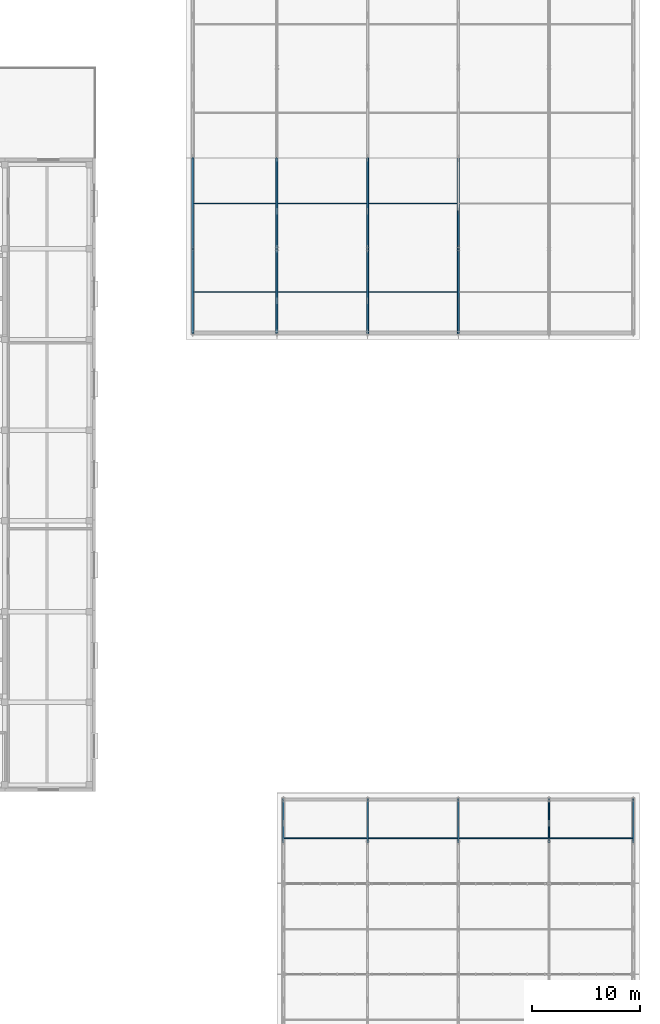
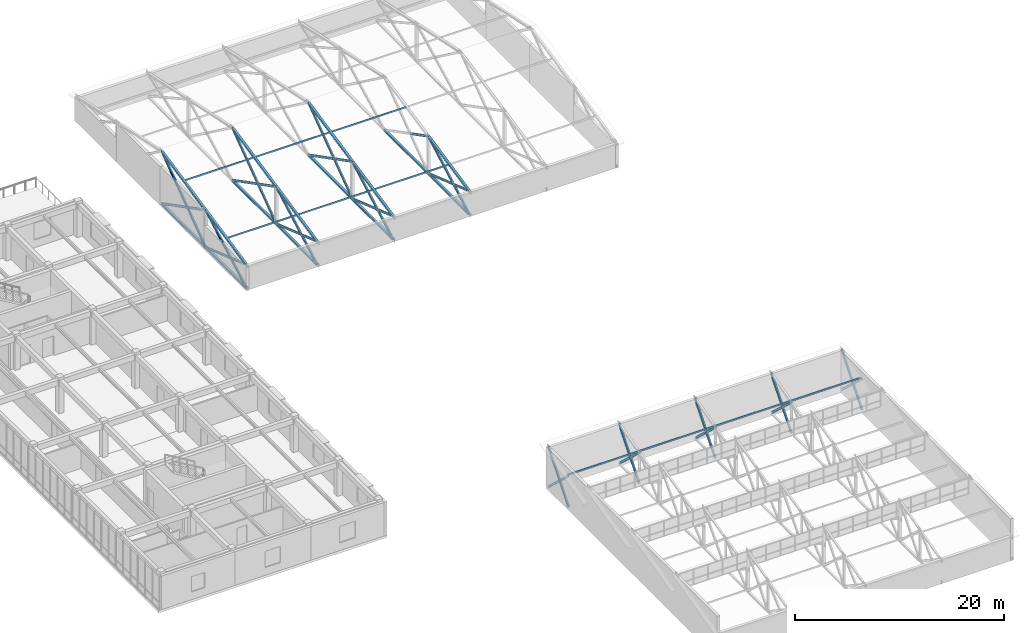
# One storey, part 83 of 123: 62 members.
"""IFC4 building model written with IfcOpenShell, lengths in metres."""

from ifc_helpers import new_model, si_unit, direction, frame, origin, origin_2d, place, context, subcontext, project, spatial, hollow_rectangle, i_section, extrude, material, material_profile, profile_set, type_object, element, save


model = new_model("IFC4")

# Units and contexts
model_context = context("Model", 3, precision=1e-05, world=origin(), true_north=direction((0.0, 1.0)))
body_context = subcontext(model_context, "Body", "Model", "MODEL_VIEW")
ifc_project = project(units=[si_unit("LENGTHUNIT", "METRE"), si_unit("AREAUNIT", "SQUARE_METRE"), si_unit("VOLUMEUNIT", "CUBIC_METRE"), si_unit("PLANEANGLEUNIT", "RADIAN"), si_unit("MASSUNIT", "GRAM", prefix="KILO")], contexts=[model_context])

# Site, building, storey
site_placement = place(None, origin())
site = spatial("IfcSite", under=ifc_project, at=site_placement, CompositionType="ELEMENT")
building_placement = place(site_placement, origin())
building = spatial("IfcBuilding", under=site, at=building_placement, Name="Zayran Congress Hotel", CompositionType="ELEMENT")
storey_placement = place(building_placement, frame((0.0, 0.0, 15.0)))
storey = spatial("IfcBuildingStorey", under=building, at=storey_placement, Name="L03", CompositionType="ELEMENT", Elevation=15.0)

# Members
ifc_material = material(Name="Steel S355", Category="steel")
ifc_material_profile_1 = material_profile(ifc_material, i_section(OverallWidth=0.239990234375, OverallDepth=0.239990234375, WebThickness=0.010009765625, FlangeThickness=0.01708984375, at=origin_2d()), Name="HEB 240")
ifc_profile_set_1 = profile_set([ifc_material_profile_1], Name="Steel S355")
member_type_1 = type_object("IfcMemberType", Name="TP-TR-CH1", PredefinedType="CHORD", material=ifc_profile_set_1)
member_1_placement = place(storey_placement, frame((143.39990234375, 85.0, 0.0), z_axis=(0.0, 1.0, 0.0), x_axis=(-1.0, 0.0, 0.0)))
element("IfcMember", 1, at=member_1_placement, inside=storey, type_object=member_type_1, Name="Ballroom Truss Bottom Chord 574", PredefinedType="CHORD", context=body_context, shape_type="SweptSolid", body=[
    extrude(i_section(OverallWidth=0.239990234375, OverallDepth=0.239990234375, WebThickness=0.010009765625, FlangeThickness=0.01708984375, at=origin_2d()), origin(), (0.0, 0.0, 1.0), 7.800048828125),
])
member_2_placement = place(storey_placement, frame((143.39990234375, 85.0, 2.677490234375), z_axis=(0.0, 0.978147411384, 0.207912581637), x_axis=(-1.0, 0.0, 0.0)))
element("IfcMember", 2, at=member_2_placement, inside=storey, type_object=member_type_1, Name="Ballroom Truss Top Chord 575", PredefinedType="CHORD", context=body_context, shape_type="SweptSolid", body=[
    extrude(i_section(OverallWidth=0.239990234375, OverallDepth=0.239990234375, WebThickness=0.010009765625, FlangeThickness=0.01708984375, at=origin_2d()), origin(), (0.0, 0.0, 1.0), 7.974365234375),
])
member_3_placement = place(storey_placement, frame((143.39990234375, 92.800048828125, 0.0), z_axis=(0.0, 1.0, 0.0), x_axis=(-1.0, 0.0, 0.0)))
element("IfcMember", 3, at=member_3_placement, inside=storey, type_object=member_type_1, Name="Ballroom Truss Bottom Chord 578", PredefinedType="CHORD", context=body_context, shape_type="SweptSolid", body=[
    extrude(i_section(OverallWidth=0.239990234375, OverallDepth=0.239990234375, WebThickness=0.010009765625, FlangeThickness=0.01708984375, at=origin_2d()), origin(), (0.0, 0.0, 1.0), 8.39990234375),
])
member_4_placement = place(storey_placement, frame((143.39990234375, 92.800048828125, 4.33544921875), z_axis=(0.0, 0.978143096954, 0.20793287831), x_axis=(-1.0, 0.0, 0.0)))
element("IfcMember", 4, at=member_4_placement, inside=storey, type_object=member_type_1, Name="Ballroom Truss Top Chord 579", PredefinedType="CHORD", context=body_context, shape_type="SweptSolid", body=[
    extrude(i_section(OverallWidth=0.239990234375, OverallDepth=0.239990234375, WebThickness=0.010009765625, FlangeThickness=0.01708984375, at=origin_2d()), origin(), (0.0, 0.0, 1.0), 8.587646484375),
])
member_5_placement = place(storey_placement, frame((151.199951171875, 85.0, 0.0), z_axis=(0.0, 1.0, 0.0), x_axis=(-1.0, 0.0, 0.0)))
element("IfcMember", 5, at=member_5_placement, inside=storey, type_object=member_type_1, Name="Ballroom Truss Bottom Chord 590", PredefinedType="CHORD", context=body_context, shape_type="SweptSolid", body=[
    extrude(i_section(OverallWidth=0.239990234375, OverallDepth=0.239990234375, WebThickness=0.010009765625, FlangeThickness=0.01708984375, at=origin_2d()), origin(), (0.0, 0.0, 1.0), 7.800048828125),
])
member_6_placement = place(storey_placement, frame((151.199951171875, 85.0, 2.677490234375), z_axis=(0.0, 0.978147411384, 0.207912581637), x_axis=(-1.0, 0.0, 0.0)))
element("IfcMember", 6, at=member_6_placement, inside=storey, type_object=member_type_1, Name="Ballroom Truss Top Chord 591", PredefinedType="CHORD", context=body_context, shape_type="SweptSolid", body=[
    extrude(i_section(OverallWidth=0.239990234375, OverallDepth=0.239990234375, WebThickness=0.010009765625, FlangeThickness=0.01708984375, at=origin_2d()), origin(), (0.0, 0.0, 1.0), 7.974365234375),
])
member_7_placement = place(storey_placement, frame((151.199951171875, 92.800048828125, 0.0), z_axis=(0.0, 1.0, 0.0), x_axis=(-1.0, 0.0, 0.0)))
element("IfcMember", 7, at=member_7_placement, inside=storey, type_object=member_type_1, Name="Ballroom Truss Bottom Chord 594", PredefinedType="CHORD", context=body_context, shape_type="SweptSolid", body=[
    extrude(i_section(OverallWidth=0.239990234375, OverallDepth=0.239990234375, WebThickness=0.010009765625, FlangeThickness=0.01708984375, at=origin_2d()), origin(), (0.0, 0.0, 1.0), 8.39990234375),
])
member_8_placement = place(storey_placement, frame((151.199951171875, 92.800048828125, 4.33544921875), z_axis=(0.0, 0.978143096954, 0.20793287831), x_axis=(-1.0, 0.0, 0.0)))
element("IfcMember", 8, at=member_8_placement, inside=storey, type_object=member_type_1, Name="Ballroom Truss Top Chord 595", PredefinedType="CHORD", context=body_context, shape_type="SweptSolid", body=[
    extrude(i_section(OverallWidth=0.239990234375, OverallDepth=0.239990234375, WebThickness=0.010009765625, FlangeThickness=0.01708984375, at=origin_2d()), origin(), (0.0, 0.0, 1.0), 8.587646484375),
])
member_9_placement = place(storey_placement, frame((159.60009765625, 85.0, 0.0), z_axis=(0.0, 1.0, 0.0), x_axis=(-1.0, 0.0, 0.0)))
element("IfcMember", 9, at=member_9_placement, inside=storey, type_object=member_type_1, Name="Ballroom Truss Bottom Chord 606", PredefinedType="CHORD", context=body_context, shape_type="SweptSolid", body=[
    extrude(i_section(OverallWidth=0.239990234375, OverallDepth=0.239990234375, WebThickness=0.010009765625, FlangeThickness=0.01708984375, at=origin_2d()), origin(), (0.0, 0.0, 1.0), 7.800048828125),
])
member_10_placement = place(storey_placement, frame((159.60009765625, 85.0, 2.677490234375), z_axis=(0.0, 0.978147411384, 0.207912581637), x_axis=(-1.0, 0.0, 0.0)))
element("IfcMember", 10, at=member_10_placement, inside=storey, type_object=member_type_1, Name="Ballroom Truss Top Chord 607", PredefinedType="CHORD", context=body_context, shape_type="SweptSolid", body=[
    extrude(i_section(OverallWidth=0.239990234375, OverallDepth=0.239990234375, WebThickness=0.010009765625, FlangeThickness=0.01708984375, at=origin_2d()), origin(), (0.0, 0.0, 1.0), 7.974365234375),
])
member_11_placement = place(storey_placement, frame((159.60009765625, 92.800048828125, 0.0), z_axis=(0.0, 1.0, 0.0), x_axis=(-1.0, 0.0, 0.0)))
element("IfcMember", 11, at=member_11_placement, inside=storey, type_object=member_type_1, Name="Ballroom Truss Bottom Chord 610", PredefinedType="CHORD", context=body_context, shape_type="SweptSolid", body=[
    extrude(i_section(OverallWidth=0.239990234375, OverallDepth=0.239990234375, WebThickness=0.010009765625, FlangeThickness=0.01708984375, at=origin_2d()), origin(), (0.0, 0.0, 1.0), 8.39990234375),
])
member_12_placement = place(storey_placement, frame((159.60009765625, 92.800048828125, 4.33544921875), z_axis=(0.0, 0.978143096954, 0.20793287831), x_axis=(-1.0, 0.0, 0.0)))
element("IfcMember", 12, at=member_12_placement, inside=storey, type_object=member_type_1, Name="Ballroom Truss Top Chord 611", PredefinedType="CHORD", context=body_context, shape_type="SweptSolid", body=[
    extrude(i_section(OverallWidth=0.239990234375, OverallDepth=0.239990234375, WebThickness=0.010009765625, FlangeThickness=0.01708984375, at=origin_2d()), origin(), (0.0, 0.0, 1.0), 8.587646484375),
])
member_13_placement = place(storey_placement, frame((168.0, 85.0, 0.0), z_axis=(0.0, 1.0, 0.0), x_axis=(-1.0, 0.0, 0.0)))
element("IfcMember", 13, at=member_13_placement, inside=storey, type_object=member_type_1, Name="Ballroom Truss Bottom Chord 622", PredefinedType="CHORD", context=body_context, shape_type="SweptSolid", body=[
    extrude(i_section(OverallWidth=0.239990234375, OverallDepth=0.239990234375, WebThickness=0.010009765625, FlangeThickness=0.01708984375, at=origin_2d()), origin(), (0.0, 0.0, 1.0), 7.800048828125),
])
member_14_placement = place(storey_placement, frame((168.0, 85.0, 2.677490234375), z_axis=(0.0, 0.978147411384, 0.207912581637), x_axis=(-1.0, 0.0, 0.0)))
element("IfcMember", 14, at=member_14_placement, inside=storey, type_object=member_type_1, Name="Ballroom Truss Top Chord 623", PredefinedType="CHORD", context=body_context, shape_type="SweptSolid", body=[
    extrude(i_section(OverallWidth=0.239990234375, OverallDepth=0.239990234375, WebThickness=0.010009765625, FlangeThickness=0.01708984375, at=origin_2d()), origin(), (0.0, 0.0, 1.0), 7.974365234375),
])
member_15_placement = place(storey_placement, frame((168.0, 92.800048828125, 0.0), z_axis=(0.0, 1.0, 0.0), x_axis=(-1.0, 0.0, 0.0)))
element("IfcMember", 15, at=member_15_placement, inside=storey, type_object=member_type_1, Name="Ballroom Truss Bottom Chord 626", PredefinedType="CHORD", context=body_context, shape_type="SweptSolid", body=[
    extrude(i_section(OverallWidth=0.239990234375, OverallDepth=0.239990234375, WebThickness=0.010009765625, FlangeThickness=0.01708984375, at=origin_2d()), origin(), (0.0, 0.0, 1.0), 8.39990234375),
])
ifc_material_profile_2 = material_profile(ifc_material, i_section(OverallWidth=0.14990234375, OverallDepth=0.300048828125, WebThickness=0.007080078125, FlangeThickness=0.0107421875, at=origin_2d()), Name="IPE 300")
ifc_profile_set_2 = profile_set([ifc_material_profile_2], Name="Steel S355")
member_type_2 = type_object("IfcMemberType", Name="TP-TR-BR1", PredefinedType="BRACE", material=ifc_profile_set_2)
member_16_placement = place(storey_placement, frame((143.39990234375, 85.0, 0.0), z_axis=(0.0, 0.874057891827, 0.485821779807), x_axis=(-1.0, 0.0, 0.0)))
element("IfcMember", 16, at=member_16_placement, inside=storey, type_object=member_type_2, Name="Ballroom Truss Web Diagonal 576", PredefinedType="BRACE", context=body_context, shape_type="SweptSolid", body=[
    extrude(i_section(OverallWidth=0.14990234375, OverallDepth=0.300048828125, WebThickness=0.007080078125, FlangeThickness=0.0107421875, at=origin_2d()), origin(), (0.0, 0.0, 1.0), 8.923828125),
])
member_17_placement = place(storey_placement, frame((143.39990234375, 92.800048828125, 0.0), z_axis=(0.0, 0.808183150447, 0.588931231413), x_axis=(-1.0, 0.0, 0.0)))
element("IfcMember", 17, at=member_17_placement, inside=storey, type_object=member_type_2, Name="Ballroom Truss Web Diagonal 580", PredefinedType="BRACE", context=body_context, shape_type="SweptSolid", body=[
    extrude(i_section(OverallWidth=0.14990234375, OverallDepth=0.300048828125, WebThickness=0.007080078125, FlangeThickness=0.0107421875, at=origin_2d()), origin(), (0.0, 0.0, 1.0), 10.3935546875),
])
member_18_placement = place(storey_placement, frame((151.199951171875, 85.0, 0.0), z_axis=(0.0, 0.874057891827, 0.485821779807), x_axis=(-1.0, 0.0, 0.0)))
element("IfcMember", 18, at=member_18_placement, inside=storey, type_object=member_type_2, Name="Ballroom Truss Web Diagonal 592", PredefinedType="BRACE", context=body_context, shape_type="SweptSolid", body=[
    extrude(i_section(OverallWidth=0.14990234375, OverallDepth=0.300048828125, WebThickness=0.007080078125, FlangeThickness=0.0107421875, at=origin_2d()), origin(), (0.0, 0.0, 1.0), 8.923828125),
])
member_19_placement = place(storey_placement, frame((151.199951171875, 92.800048828125, 0.0), z_axis=(0.0, 0.808183150447, 0.588931231413), x_axis=(-1.0, 0.0, 0.0)))
element("IfcMember", 19, at=member_19_placement, inside=storey, type_object=member_type_2, Name="Ballroom Truss Web Diagonal 596", PredefinedType="BRACE", context=body_context, shape_type="SweptSolid", body=[
    extrude(i_section(OverallWidth=0.14990234375, OverallDepth=0.300048828125, WebThickness=0.007080078125, FlangeThickness=0.0107421875, at=origin_2d()), origin(), (0.0, 0.0, 1.0), 10.3935546875),
])
member_20_placement = place(storey_placement, frame((159.60009765625, 85.0, 0.0), z_axis=(0.0, 0.874057891827, 0.485821779807), x_axis=(-1.0, 0.0, 0.0)))
element("IfcMember", 20, at=member_20_placement, inside=storey, type_object=member_type_2, Name="Ballroom Truss Web Diagonal 608", PredefinedType="BRACE", context=body_context, shape_type="SweptSolid", body=[
    extrude(i_section(OverallWidth=0.14990234375, OverallDepth=0.300048828125, WebThickness=0.007080078125, FlangeThickness=0.0107421875, at=origin_2d()), origin(), (0.0, 0.0, 1.0), 8.923828125),
])
member_21_placement = place(storey_placement, frame((159.60009765625, 92.800048828125, 0.0), z_axis=(0.0, 0.808183150447, 0.588931231413), x_axis=(-1.0, 0.0, 0.0)))
element("IfcMember", 21, at=member_21_placement, inside=storey, type_object=member_type_2, Name="Ballroom Truss Web Diagonal 612", PredefinedType="BRACE", context=body_context, shape_type="SweptSolid", body=[
    extrude(i_section(OverallWidth=0.14990234375, OverallDepth=0.300048828125, WebThickness=0.007080078125, FlangeThickness=0.0107421875, at=origin_2d()), origin(), (0.0, 0.0, 1.0), 10.3935546875),
])
member_22_placement = place(storey_placement, frame((168.0, 85.0, 0.0), z_axis=(0.0, 0.874057891827, 0.485821779807), x_axis=(-1.0, 0.0, 0.0)))
element("IfcMember", 22, at=member_22_placement, inside=storey, type_object=member_type_2, Name="Ballroom Truss Web Diagonal 624", PredefinedType="BRACE", context=body_context, shape_type="SweptSolid", body=[
    extrude(i_section(OverallWidth=0.14990234375, OverallDepth=0.300048828125, WebThickness=0.007080078125, FlangeThickness=0.0107421875, at=origin_2d()), origin(), (0.0, 0.0, 1.0), 8.923828125),
])
for number, where, z_axis, x_axis, name in (
    (23, (151.800048828125, 37.89990234375, 0.0), (0.0, 0.639042633746, 0.769171315284), (-1.0, 0.0, 0.0), "Sawtooth Truss Diagonal Bay2 126"),
    (24, (159.60009765625, 37.89990234375, 0.0), (0.0, 0.639042633746, 0.769171315284), (-1.0, 0.0, 0.0), "Sawtooth Truss Diagonal Bay2 142"),
    (25, (168.0, 37.89990234375, 0.0), (0.0, 0.639042633746, 0.769171315284), (-1.0, 0.0, 0.0), "Sawtooth Truss Diagonal Bay2 158"),
    (26, (176.39990234375, 37.89990234375, 0.0), (0.0, 0.639042633746, 0.769171315284), (-1.0, 0.0, 0.0), "Sawtooth Truss Diagonal Bay2 174"),
    (27, (184.199951171875, 37.89990234375, 0.0), (0.0, 0.639042633746, 0.769171315284), (-1.0, 0.0, 0.0), "Sawtooth Truss Diagonal Bay2 190"),
):
    element("IfcMember", number, at=place(storey_placement, frame(where, z_axis=z_axis, x_axis=x_axis)), inside=storey, type_object=member_type_2, Name=name, PredefinedType="BRACE", context=body_context, shape_type="SweptSolid", body=[
        extrude(i_section(OverallWidth=0.14990234375, OverallDepth=0.300048828125, WebThickness=0.007080078125, FlangeThickness=0.0107421875, at=origin_2d()), origin(), (0.0, 0.0, 1.0), 6.10302734375),
    ])
ifc_material_profile_3 = material_profile(ifc_material, i_section(OverallWidth=0.1201171875, OverallDepth=0.239990234375, WebThickness=0.006103515625, FlangeThickness=0.009765625, at=origin_2d()), Name="IPE 240")
ifc_profile_set_3 = profile_set([ifc_material_profile_3], Name="Steel S355")
member_type_3 = type_object("IfcMemberType", Name="TP-TR-BR2", PredefinedType="BRACE", material=ifc_profile_set_3)
member_23_placement = place(storey_placement, frame((143.39990234375, 85.0, 2.677490234375), z_axis=(0.0, 0.945833206056, -0.324652962903), x_axis=(-1.0, 0.0, 0.0)))
element("IfcMember", 28, at=member_23_placement, inside=storey, type_object=member_type_3, Name="Ballroom Truss Counter Diagonal Upper 577", PredefinedType="BRACE", context=body_context, shape_type="SweptSolid", body=[
    extrude(i_section(OverallWidth=0.1201171875, OverallDepth=0.239990234375, WebThickness=0.006103515625, FlangeThickness=0.009765625, at=origin_2d()), origin(), (0.0, 0.0, 1.0), 3.133544921875),
])
member_24_placement = place(storey_placement, frame((143.39990234375, 87.9921875, 1.650390625), z_axis=(0.0, 0.945826318984, -0.324673026778), x_axis=(-1.0, 0.0, 0.0)))
element("IfcMember", 29, at=member_24_placement, inside=storey, type_object=member_type_3, Name="Ballroom Truss Counter Diagonal Lower 89", PredefinedType="BRACE", context=body_context, shape_type="SweptSolid", body=[
    extrude(i_section(OverallWidth=0.1201171875, OverallDepth=0.239990234375, WebThickness=0.006103515625, FlangeThickness=0.009765625, at=origin_2d()), origin(), (0.0, 0.0, 1.0), 5.083251953125),
])
member_25_placement = place(storey_placement, frame((143.39990234375, 92.800048828125, 4.33544921875), z_axis=(0.0, 0.888638742787, -0.458607876969), x_axis=(-1.0, 0.0, 0.0)))
element("IfcMember", 30, at=member_25_placement, inside=storey, type_object=member_type_3, Name="Ballroom Truss Counter Diagonal Upper 581", PredefinedType="BRACE", context=body_context, shape_type="SweptSolid", body=[
    extrude(i_section(OverallWidth=0.1201171875, OverallDepth=0.239990234375, WebThickness=0.006103515625, FlangeThickness=0.009765625, at=origin_2d()), origin(), (0.0, 0.0, 1.0), 3.904296875),
])
member_26_placement = place(storey_placement, frame((143.39990234375, 96.296142578125, 2.531005859375), z_axis=(0.0, 0.888620075417, -0.458644046692), x_axis=(-1.0, 0.0, 0.0)))
element("IfcMember", 31, at=member_26_placement, inside=storey, type_object=member_type_3, Name="Ballroom Truss Counter Diagonal Lower 90", PredefinedType="BRACE", context=body_context, shape_type="SweptSolid", body=[
    extrude(i_section(OverallWidth=0.1201171875, OverallDepth=0.239990234375, WebThickness=0.006103515625, FlangeThickness=0.009765625, at=origin_2d()), origin(), (0.0, 0.0, 1.0), 5.5185546875),
])
member_27_placement = place(storey_placement, frame((151.199951171875, 85.0, 2.677490234375), z_axis=(0.0, 0.945833206056, -0.324652962903), x_axis=(-1.0, 0.0, 0.0)))
element("IfcMember", 32, at=member_27_placement, inside=storey, type_object=member_type_3, Name="Ballroom Truss Counter Diagonal Upper 593", PredefinedType="BRACE", context=body_context, shape_type="SweptSolid", body=[
    extrude(i_section(OverallWidth=0.1201171875, OverallDepth=0.239990234375, WebThickness=0.006103515625, FlangeThickness=0.009765625, at=origin_2d()), origin(), (0.0, 0.0, 1.0), 3.133544921875),
])
member_28_placement = place(storey_placement, frame((151.199951171875, 87.9921875, 1.650390625), z_axis=(0.0, 0.945826318984, -0.324673026778), x_axis=(-1.0, 0.0, 0.0)))
element("IfcMember", 33, at=member_28_placement, inside=storey, type_object=member_type_3, Name="Ballroom Truss Counter Diagonal Lower 93", PredefinedType="BRACE", context=body_context, shape_type="SweptSolid", body=[
    extrude(i_section(OverallWidth=0.1201171875, OverallDepth=0.239990234375, WebThickness=0.006103515625, FlangeThickness=0.009765625, at=origin_2d()), origin(), (0.0, 0.0, 1.0), 5.083251953125),
])
member_29_placement = place(storey_placement, frame((151.199951171875, 92.800048828125, 4.33544921875), z_axis=(0.0, 0.888638742787, -0.458607876969), x_axis=(-1.0, 0.0, 0.0)))
element("IfcMember", 34, at=member_29_placement, inside=storey, type_object=member_type_3, Name="Ballroom Truss Counter Diagonal Upper 597", PredefinedType="BRACE", context=body_context, shape_type="SweptSolid", body=[
    extrude(i_section(OverallWidth=0.1201171875, OverallDepth=0.239990234375, WebThickness=0.006103515625, FlangeThickness=0.009765625, at=origin_2d()), origin(), (0.0, 0.0, 1.0), 3.904296875),
])
member_30_placement = place(storey_placement, frame((151.199951171875, 96.296142578125, 2.531005859375), z_axis=(0.0, 0.888620075417, -0.458644046692), x_axis=(-1.0, 0.0, 0.0)))
element("IfcMember", 35, at=member_30_placement, inside=storey, type_object=member_type_3, Name="Ballroom Truss Counter Diagonal Lower 94", PredefinedType="BRACE", context=body_context, shape_type="SweptSolid", body=[
    extrude(i_section(OverallWidth=0.1201171875, OverallDepth=0.239990234375, WebThickness=0.006103515625, FlangeThickness=0.009765625, at=origin_2d()), origin(), (0.0, 0.0, 1.0), 5.5185546875),
])
member_31_placement = place(storey_placement, frame((159.60009765625, 85.0, 2.677490234375), z_axis=(0.0, 0.945833206056, -0.324652962903), x_axis=(-1.0, 0.0, 0.0)))
element("IfcMember", 36, at=member_31_placement, inside=storey, type_object=member_type_3, Name="Ballroom Truss Counter Diagonal Upper 609", PredefinedType="BRACE", context=body_context, shape_type="SweptSolid", body=[
    extrude(i_section(OverallWidth=0.1201171875, OverallDepth=0.239990234375, WebThickness=0.006103515625, FlangeThickness=0.009765625, at=origin_2d()), origin(), (0.0, 0.0, 1.0), 3.133544921875),
])
member_32_placement = place(storey_placement, frame((159.60009765625, 87.9921875, 1.650390625), z_axis=(0.0, 0.945826318984, -0.324673026778), x_axis=(-1.0, 0.0, 0.0)))
element("IfcMember", 37, at=member_32_placement, inside=storey, type_object=member_type_3, Name="Ballroom Truss Counter Diagonal Lower 97", PredefinedType="BRACE", context=body_context, shape_type="SweptSolid", body=[
    extrude(i_section(OverallWidth=0.1201171875, OverallDepth=0.239990234375, WebThickness=0.006103515625, FlangeThickness=0.009765625, at=origin_2d()), origin(), (0.0, 0.0, 1.0), 5.083251953125),
])
member_33_placement = place(storey_placement, frame((159.60009765625, 92.800048828125, 4.33544921875), z_axis=(0.0, 0.888638742787, -0.458607876969), x_axis=(-1.0, 0.0, 0.0)))
element("IfcMember", 38, at=member_33_placement, inside=storey, type_object=member_type_3, Name="Ballroom Truss Counter Diagonal Upper 613", PredefinedType="BRACE", context=body_context, shape_type="SweptSolid", body=[
    extrude(i_section(OverallWidth=0.1201171875, OverallDepth=0.239990234375, WebThickness=0.006103515625, FlangeThickness=0.009765625, at=origin_2d()), origin(), (0.0, 0.0, 1.0), 3.904296875),
])
member_34_placement = place(storey_placement, frame((159.60009765625, 96.296142578125, 2.531005859375), z_axis=(0.0, 0.888620075417, -0.458644046692), x_axis=(-1.0, 0.0, 0.0)))
element("IfcMember", 39, at=member_34_placement, inside=storey, type_object=member_type_3, Name="Ballroom Truss Counter Diagonal Lower 98", PredefinedType="BRACE", context=body_context, shape_type="SweptSolid", body=[
    extrude(i_section(OverallWidth=0.1201171875, OverallDepth=0.239990234375, WebThickness=0.006103515625, FlangeThickness=0.009765625, at=origin_2d()), origin(), (0.0, 0.0, 1.0), 5.5185546875),
])
member_35_placement = place(storey_placement, frame((168.0, 85.0, 2.677490234375), z_axis=(0.0, 0.945833206056, -0.324652962903), x_axis=(-1.0, 0.0, 0.0)))
element("IfcMember", 40, at=member_35_placement, inside=storey, type_object=member_type_3, Name="Ballroom Truss Counter Diagonal Upper 625", PredefinedType="BRACE", context=body_context, shape_type="SweptSolid", body=[
    extrude(i_section(OverallWidth=0.1201171875, OverallDepth=0.239990234375, WebThickness=0.006103515625, FlangeThickness=0.009765625, at=origin_2d()), origin(), (0.0, 0.0, 1.0), 3.133544921875),
])
member_36_placement = place(storey_placement, frame((168.0, 87.9921875, 1.650390625), z_axis=(0.0, 0.945826318984, -0.324673026778), x_axis=(-1.0, 0.0, 0.0)))
element("IfcMember", 41, at=member_36_placement, inside=storey, type_object=member_type_3, Name="Ballroom Truss Counter Diagonal Lower 101", PredefinedType="BRACE", context=body_context, shape_type="SweptSolid", body=[
    extrude(i_section(OverallWidth=0.1201171875, OverallDepth=0.239990234375, WebThickness=0.006103515625, FlangeThickness=0.009765625, at=origin_2d()), origin(), (0.0, 0.0, 1.0), 5.083251953125),
])
member_37_placement = place(storey_placement, frame((168.0, 92.800048828125, 4.33544921875), z_axis=(0.0, 0.888638742787, -0.458607876969), x_axis=(-1.0, 0.0, 0.0)))
element("IfcMember", 42, at=member_37_placement, inside=storey, type_object=member_type_3, Name="Ballroom Truss Counter Diagonal Upper 629", PredefinedType="BRACE", context=body_context, shape_type="SweptSolid", body=[
    extrude(i_section(OverallWidth=0.1201171875, OverallDepth=0.239990234375, WebThickness=0.006103515625, FlangeThickness=0.009765625, at=origin_2d()), origin(), (0.0, 0.0, 1.0), 3.904296875),
])
member_38_placement = place(storey_placement, frame((151.800048828125, 37.89990234375, 3.647216796875), z_axis=(0.0, 0.730389962081, -0.683030382407), x_axis=(-1.0, 0.0, 0.0)))
element("IfcMember", 43, at=member_38_placement, inside=storey, type_object=member_type_3, Name="Sawtooth Truss Counter Diagonal Bay2 Upper 127", PredefinedType="BRACE", context=body_context, shape_type="SweptSolid", body=[
    extrude(i_section(OverallWidth=0.1201171875, OverallDepth=0.239990234375, WebThickness=0.006103515625, FlangeThickness=0.009765625, at=origin_2d()), origin(), (0.0, 0.0, 1.0), 2.31982421875),
])
member_39_placement = place(storey_placement, frame((151.800048828125, 39.6162109375, 2.042236328125), z_axis=(0.0, 0.7303896686, -0.683030696237), x_axis=(-1.0, 0.0, 0.0)))
element("IfcMember", 44, at=member_39_placement, inside=storey, type_object=member_type_3, Name="Sawtooth Truss Counter Diagonal Bay2 Lower 128", PredefinedType="BRACE", context=body_context, shape_type="SweptSolid", body=[
    extrude(i_section(OverallWidth=0.1201171875, OverallDepth=0.239990234375, WebThickness=0.006103515625, FlangeThickness=0.009765625, at=origin_2d()), origin(), (0.0, 0.0, 1.0), 2.989990234375),
])
member_40_placement = place(storey_placement, frame((159.60009765625, 37.89990234375, 3.647216796875), z_axis=(0.0, 0.730389962081, -0.683030382407), x_axis=(-1.0, 0.0, 0.0)))
element("IfcMember", 45, at=member_40_placement, inside=storey, type_object=member_type_3, Name="Sawtooth Truss Counter Diagonal Bay2 Upper 143", PredefinedType="BRACE", context=body_context, shape_type="SweptSolid", body=[
    extrude(i_section(OverallWidth=0.1201171875, OverallDepth=0.239990234375, WebThickness=0.006103515625, FlangeThickness=0.009765625, at=origin_2d()), origin(), (0.0, 0.0, 1.0), 2.31982421875),
])
member_41_placement = place(storey_placement, frame((159.60009765625, 39.6162109375, 2.042236328125), z_axis=(0.0, 0.7303896686, -0.683030696237), x_axis=(-1.0, 0.0, 0.0)))
element("IfcMember", 46, at=member_41_placement, inside=storey, type_object=member_type_3, Name="Sawtooth Truss Counter Diagonal Bay2 Lower 144", PredefinedType="BRACE", context=body_context, shape_type="SweptSolid", body=[
    extrude(i_section(OverallWidth=0.1201171875, OverallDepth=0.239990234375, WebThickness=0.006103515625, FlangeThickness=0.009765625, at=origin_2d()), origin(), (0.0, 0.0, 1.0), 2.989990234375),
])
member_42_placement = place(storey_placement, frame((168.0, 37.89990234375, 3.647216796875), z_axis=(0.0, 0.730389962081, -0.683030382407), x_axis=(-1.0, 0.0, 0.0)))
element("IfcMember", 47, at=member_42_placement, inside=storey, type_object=member_type_3, Name="Sawtooth Truss Counter Diagonal Bay2 Upper 159", PredefinedType="BRACE", context=body_context, shape_type="SweptSolid", body=[
    extrude(i_section(OverallWidth=0.1201171875, OverallDepth=0.239990234375, WebThickness=0.006103515625, FlangeThickness=0.009765625, at=origin_2d()), origin(), (0.0, 0.0, 1.0), 2.31982421875),
])
member_43_placement = place(storey_placement, frame((168.0, 39.6162109375, 2.042236328125), z_axis=(0.0, 0.7303896686, -0.683030696237), x_axis=(-1.0, 0.0, 0.0)))
element("IfcMember", 48, at=member_43_placement, inside=storey, type_object=member_type_3, Name="Sawtooth Truss Counter Diagonal Bay2 Lower 160", PredefinedType="BRACE", context=body_context, shape_type="SweptSolid", body=[
    extrude(i_section(OverallWidth=0.1201171875, OverallDepth=0.239990234375, WebThickness=0.006103515625, FlangeThickness=0.009765625, at=origin_2d()), origin(), (0.0, 0.0, 1.0), 2.989990234375),
])
member_44_placement = place(storey_placement, frame((176.39990234375, 37.89990234375, 3.647216796875), z_axis=(0.0, 0.730389962081, -0.683030382407), x_axis=(-1.0, 0.0, 0.0)))
element("IfcMember", 49, at=member_44_placement, inside=storey, type_object=member_type_3, Name="Sawtooth Truss Counter Diagonal Bay2 Upper 175", PredefinedType="BRACE", context=body_context, shape_type="SweptSolid", body=[
    extrude(i_section(OverallWidth=0.1201171875, OverallDepth=0.239990234375, WebThickness=0.006103515625, FlangeThickness=0.009765625, at=origin_2d()), origin(), (0.0, 0.0, 1.0), 2.31982421875),
])
member_45_placement = place(storey_placement, frame((176.39990234375, 39.6162109375, 2.042236328125), z_axis=(0.0, 0.7303896686, -0.683030696237), x_axis=(-1.0, 0.0, 0.0)))
element("IfcMember", 50, at=member_45_placement, inside=storey, type_object=member_type_3, Name="Sawtooth Truss Counter Diagonal Bay2 Lower 176", PredefinedType="BRACE", context=body_context, shape_type="SweptSolid", body=[
    extrude(i_section(OverallWidth=0.1201171875, OverallDepth=0.239990234375, WebThickness=0.006103515625, FlangeThickness=0.009765625, at=origin_2d()), origin(), (0.0, 0.0, 1.0), 2.989990234375),
])
member_46_placement = place(storey_placement, frame((184.199951171875, 37.89990234375, 3.647216796875), z_axis=(0.0, 0.730389962081, -0.683030382407), x_axis=(-1.0, 0.0, 0.0)))
element("IfcMember", 51, at=member_46_placement, inside=storey, type_object=member_type_3, Name="Sawtooth Truss Counter Diagonal Bay2 Upper 191", PredefinedType="BRACE", context=body_context, shape_type="SweptSolid", body=[
    extrude(i_section(OverallWidth=0.1201171875, OverallDepth=0.239990234375, WebThickness=0.006103515625, FlangeThickness=0.009765625, at=origin_2d()), origin(), (0.0, 0.0, 1.0), 2.31982421875),
])
member_47_placement = place(storey_placement, frame((184.199951171875, 39.6162109375, 2.042236328125), z_axis=(0.0, 0.7303896686, -0.683030696237), x_axis=(-1.0, 0.0, 0.0)))
element("IfcMember", 52, at=member_47_placement, inside=storey, type_object=member_type_3, Name="Sawtooth Truss Counter Diagonal Bay2 Lower 192", PredefinedType="BRACE", context=body_context, shape_type="SweptSolid", body=[
    extrude(i_section(OverallWidth=0.1201171875, OverallDepth=0.239990234375, WebThickness=0.006103515625, FlangeThickness=0.009765625, at=origin_2d()), origin(), (0.0, 0.0, 1.0), 2.989990234375),
])
ifc_material_profile_4 = material_profile(ifc_material, hollow_rectangle(XDim=0.080078125, YDim=0.179931640625, WallThickness=0.0048828125, at=origin_2d()), Name="RHS 180x80x5")
ifc_profile_set_4 = profile_set([ifc_material_profile_4], Name="Steel S355")
member_type_4 = type_object("IfcMemberType", Name="TP-PR-02", PredefinedType="PURLIN", material=ifc_profile_set_4)
member_48_placement = place(storey_placement, frame((143.39990234375, 88.800048828125, 3.46728515625), z_axis=(1.0, 0.0, 0.0), x_axis=(0.0, 1.0, 0.0)))
element("IfcMember", 53, at=member_48_placement, inside=storey, type_object=member_type_4, Name="MEM-PR-V2-0181", PredefinedType="PURLIN", context=body_context, shape_type="SweptSolid", body=[
    extrude(hollow_rectangle(XDim=0.080078125, YDim=0.179931640625, WallThickness=0.0048828125, at=origin_2d()), origin(), (0.0, 0.0, 1.0), 7.800048828125),
])
member_49_placement = place(storey_placement, frame((151.199951171875, 88.800048828125, 3.46728515625), z_axis=(1.0, 0.0, 0.0), x_axis=(0.0, 1.0, 0.0)))
element("IfcMember", 54, at=member_49_placement, inside=storey, type_object=member_type_4, Name="MEM-PR-V2-0182", PredefinedType="PURLIN", context=body_context, shape_type="SweptSolid", body=[
    extrude(hollow_rectangle(XDim=0.080078125, YDim=0.179931640625, WallThickness=0.0048828125, at=origin_2d()), origin(), (0.0, 0.0, 1.0), 8.400146484375),
])
member_50_placement = place(storey_placement, frame((159.60009765625, 88.800048828125, 3.46728515625), z_axis=(1.0, 0.0, 0.0), x_axis=(0.0, 1.0, 0.0)))
element("IfcMember", 55, at=member_50_placement, inside=storey, type_object=member_type_4, Name="MEM-PR-V2-0183", PredefinedType="PURLIN", context=body_context, shape_type="SweptSolid", body=[
    extrude(hollow_rectangle(XDim=0.080078125, YDim=0.179931640625, WallThickness=0.0048828125, at=origin_2d()), origin(), (0.0, 0.0, 1.0), 8.39990234375),
])
member_51_placement = place(storey_placement, frame((143.39990234375, 97.0, 5.210205078125), z_axis=(1.0, 0.0, 0.0), x_axis=(0.0, 1.0, 0.0)))
element("IfcMember", 56, at=member_51_placement, inside=storey, type_object=member_type_4, Name="MEM-PR-V2-0186", PredefinedType="PURLIN", context=body_context, shape_type="SweptSolid", body=[
    extrude(hollow_rectangle(XDim=0.080078125, YDim=0.179931640625, WallThickness=0.0048828125, at=origin_2d()), origin(), (0.0, 0.0, 1.0), 7.800048828125),
])
member_52_placement = place(storey_placement, frame((151.199951171875, 97.0, 5.210205078125), z_axis=(1.0, 0.0, 0.0), x_axis=(0.0, 1.0, 0.0)))
element("IfcMember", 57, at=member_52_placement, inside=storey, type_object=member_type_4, Name="MEM-PR-V2-0187", PredefinedType="PURLIN", context=body_context, shape_type="SweptSolid", body=[
    extrude(hollow_rectangle(XDim=0.080078125, YDim=0.179931640625, WallThickness=0.0048828125, at=origin_2d()), origin(), (0.0, 0.0, 1.0), 8.400146484375),
])
member_53_placement = place(storey_placement, frame((159.60009765625, 97.0, 5.210205078125), z_axis=(1.0, 0.0, 0.0), x_axis=(0.0, 1.0, 0.0)))
element("IfcMember", 58, at=member_53_placement, inside=storey, type_object=member_type_4, Name="MEM-PR-V2-0188", PredefinedType="PURLIN", context=body_context, shape_type="SweptSolid", body=[
    extrude(hollow_rectangle(XDim=0.080078125, YDim=0.179931640625, WallThickness=0.0048828125, at=origin_2d()), origin(), (0.0, 0.0, 1.0), 8.39990234375),
])
member_54_placement = place(storey_placement, frame((151.800048828125, 38.199951171875, 3.572265625), z_axis=(1.0, 0.0, 0.0), x_axis=(0.0, 1.0, 0.0)))
element("IfcMember", 59, at=member_54_placement, inside=storey, type_object=member_type_4, Name="MEM-PR-V3-0213", PredefinedType="PURLIN", context=body_context, shape_type="SweptSolid", body=[
    extrude(hollow_rectangle(XDim=0.080078125, YDim=0.179931640625, WallThickness=0.0048828125, at=origin_2d()), origin(), (0.0, 0.0, 1.0), 7.800048828125),
])
for number, where, z_axis, x_axis, name in (
    (60, (159.60009765625, 38.199951171875, 3.572265625), (1.0, 0.0, 0.0), (0.0, 1.0, 0.0), "MEM-PR-V3-0214"),
    (61, (168.0, 38.199951171875, 3.572265625), (1.0, 0.0, 0.0), (0.0, 1.0, 0.0), "MEM-PR-V3-0215"),
):
    element("IfcMember", number, at=place(storey_placement, frame(where, z_axis=z_axis, x_axis=x_axis)), inside=storey, type_object=member_type_4, Name=name, PredefinedType="PURLIN", context=body_context, shape_type="SweptSolid", body=[
        extrude(hollow_rectangle(XDim=0.080078125, YDim=0.179931640625, WallThickness=0.0048828125, at=origin_2d()), origin(), (0.0, 0.0, 1.0), 8.39990234375),
    ])
member_55_placement = place(storey_placement, frame((176.39990234375, 38.199951171875, 3.572265625), z_axis=(1.0, 0.0, 0.0), x_axis=(0.0, 1.0, 0.0)))
element("IfcMember", 62, at=member_55_placement, inside=storey, type_object=member_type_4, Name="MEM-PR-V3-0216", PredefinedType="PURLIN", context=body_context, shape_type="SweptSolid", body=[
    extrude(hollow_rectangle(XDim=0.080078125, YDim=0.179931640625, WallThickness=0.0048828125, at=origin_2d()), origin(), (0.0, 0.0, 1.0), 7.800048828125),
])

save(model, "model.ifc")
